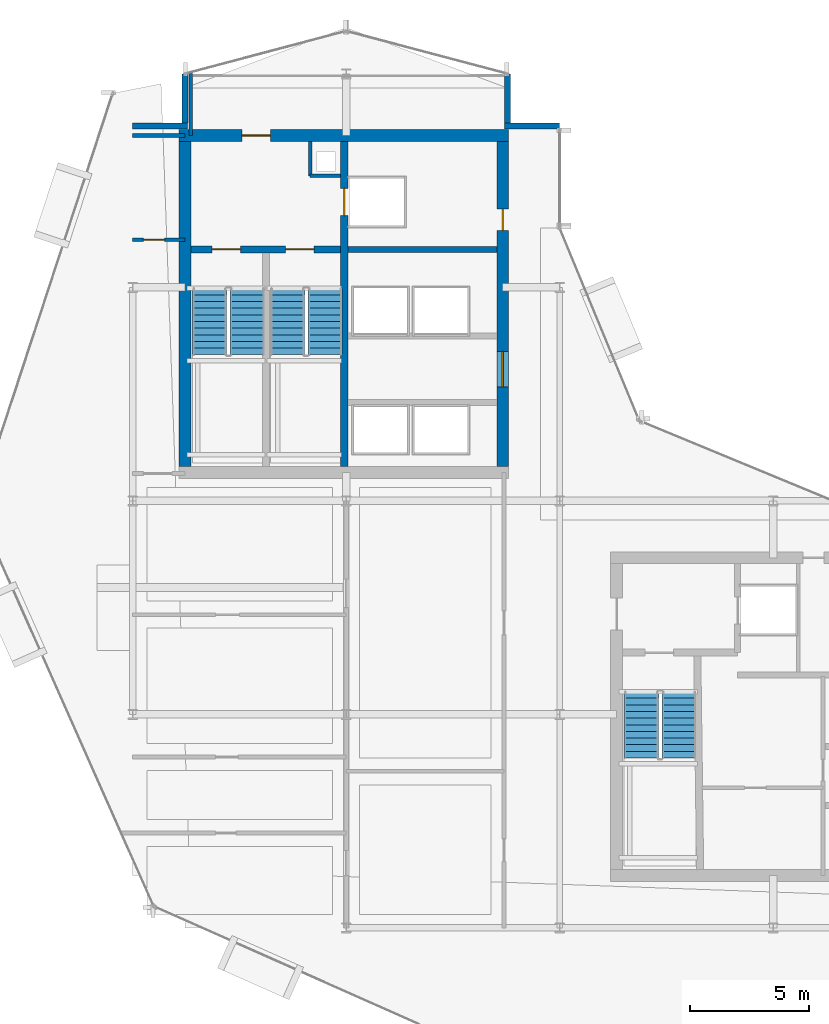
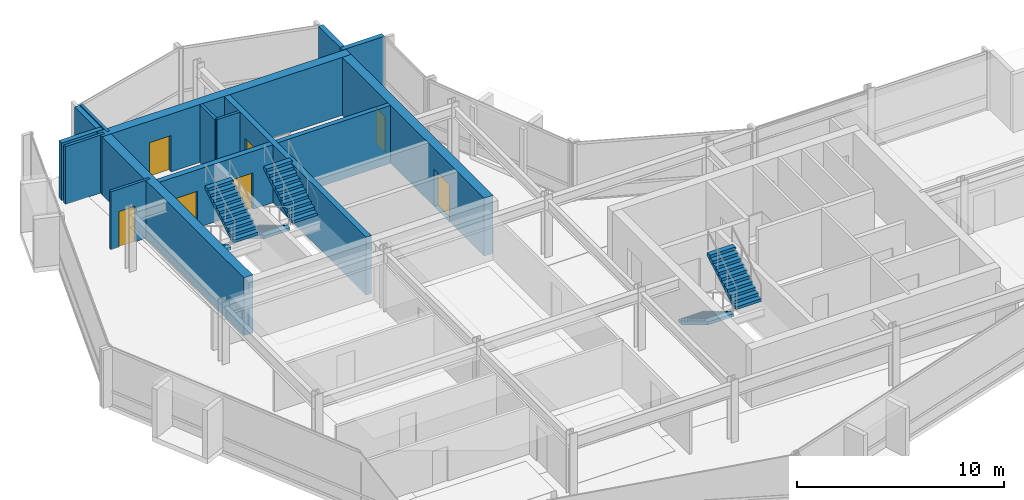
# One storey, part 21 of 27: 15 walls, 7 doors, 6 stair flights, 7 openings, 3 elements without a shape of their own.
"""IFC4 building model written with IfcOpenShell, lengths in metres."""

from ifc_helpers import new_model, si_unit, direction, frame, frame_2d, origin, place, context, subcontext, project, spatial, polyline, rectangle, outline, extrude, material, layer, layer_set, type_object, element, fill, aggregate, save


model = new_model("IFC4")

# Units and contexts
model_context = context("Model", 3, precision=1e-05, world=origin(), true_north=direction((0.0, 1.0)))
body_context = subcontext(model_context, "Body", "Model", "MODEL_VIEW")
ifc_project = project(units=[si_unit("LENGTHUNIT", "METRE"), si_unit("AREAUNIT", "SQUARE_METRE"), si_unit("VOLUMEUNIT", "CUBIC_METRE"), si_unit("PLANEANGLEUNIT", "RADIAN"), si_unit("MASSUNIT", "GRAM", prefix="KILO")], contexts=[model_context])

# Site, building, storey
site_placement = place(None, origin())
site = spatial("IfcSite", under=ifc_project, at=site_placement, CompositionType="ELEMENT")
building_placement = place(site_placement, origin())
building = spatial("IfcBuilding", under=site, at=building_placement, Name="Solvaryn Broadcast Tower", CompositionType="ELEMENT")
storey_placement = place(building_placement, frame((0.0, 0.0, 177.89990234375)))
storey = spatial("IfcBuildingStorey", under=building, at=storey_placement, Name="L44", CompositionType="ELEMENT", Elevation=177.89990234375)

# Wall, opening, door
ifc_material_1 = material(Name="Concrete f'c 70 MPa", Category="concrete")
ifc_layer_1 = layer(ifc_material_1, 0.5)
ifc_layer_set_1 = layer_set([ifc_layer_1], Name="CW-SHEAR-500")
wall_type_1 = type_object("IfcWallType", Name="CW-SHEAR-500", PredefinedType="SHEAR", material=ifc_layer_set_1)
wall_1_placement = place(storey_placement, frame((24.85009765625, 42.39990234375, 0.0), z_axis=(0.0, 0.0, 1.0), x_axis=(-1.0, 0.0, 0.0)))
wall_1 = element("IfcWall", 1, at=wall_1_placement, inside=storey, type_object=wall_type_1, Name="L44 West Core North Shear Wall", PredefinedType="SHEAR", context=body_context, shape_type="SweptSolid", body=[
    extrude(rectangle(XDim=13.900146484375, YDim=0.5, at=frame_2d((6.9501953125, 0.0))), origin(), (0.0, 0.0, 1.0), 3.420166015625),
])
opening_1_placement = place(wall_1_placement, frame((10.050048828125, 0.0, 0.0)))
opening_1 = element("IfcOpeningElement", 2, at=opening_1_placement, cuts=wall_1, Name="Opening FD90A", PredefinedType="OPENING", context=body_context, shape_type="SweptSolid", body=[
    extrude(rectangle(XDim=1.199951171875, YDim=2.14990234375, at=frame_2d((0.60009765625, 1.074951171875))), frame((0.0, 0.260009765625, 0.0), z_axis=(0.0, -1.0, 0.0), x_axis=(1.0, 0.0, 0.0)), (0.0, 0.0, 1.0), 0.52001953125),
])
ifc_material_2 = material(Name="Flush Acoustic Steel and Timber Door Assembly", Category="steel")
door_type_1 = type_object("IfcDoorType", Name="FD90-STAIR-1200X2150", OperationType="NOTDEFINED", PredefinedType="DOOR", material=ifc_material_2)
door_1_placement = place(opening_1_placement, origin())
door_1 = element("IfcDoor", 3, at=door_1_placement, inside=storey, type_object=door_type_1, Name="L44 West FSAE Lobby Corridor Door", OperationType="SINGLE_SWING_LEFT", OverallHeight=2.14990234375, OverallWidth=1.199951171875, PredefinedType="DOOR", context=body_context, shape_type="SweptSolid", body=[
    extrude(rectangle(XDim=1.199951171875, YDim=2.14990234375, at=frame_2d((0.60009765625, 1.074951171875))), frame((0.0, 0.02490234375, 0.0), z_axis=(0.0, -1.0, 0.0), x_axis=(1.0, 0.0, 0.0)), (0.0, 0.0, 1.0), 0.050048828125),
])
fill(opening_1, door_1)

# Wall
wall_2_placement = place(storey_placement, frame((11.199951171875, 42.14990234375, 0.0), z_axis=(0.0, 0.0, 1.0), x_axis=(0.0, -1.0, 0.0)))
element("IfcWall", 4, at=wall_2_placement, inside=storey, type_object=wall_type_1, Name="L44 West Core West Shear Wall", PredefinedType="SHEAR", context=body_context, shape_type="SweptSolid", body=[
    extrude(rectangle(XDim=13.699951171875, YDim=0.5, at=frame_2d((6.85009765625, 0.0))), origin(), (0.0, 0.0, 1.0), 3.420166015625),
])

# Wall, openings, doors
wall_3_placement = place(storey_placement, frame((24.60009765625, 28.449951171875, 0.0), z_axis=(0.0, 0.0, 1.0), x_axis=(0.0, 1.0, 0.0)))
wall_3 = element("IfcWall", 5, at=wall_3_placement, inside=storey, type_object=wall_type_1, Name="L44 West Core East Shear Wall", PredefinedType="SHEAR", context=body_context, shape_type="SweptSolid", body=[
    extrude(rectangle(XDim=13.699951171875, YDim=0.5, at=frame_2d((6.85009765625, 0.0))), origin(), (0.0, 0.0, 1.0), 3.420166015625),
])
opening_2_placement = place(wall_3_placement, frame((3.35009765625, 0.0, 0.0)))
opening_2 = element("IfcOpeningElement", 6, at=opening_2_placement, cuts=wall_3, Name="Opening FD60A", PredefinedType="OPENING", context=body_context, shape_type="SweptSolid", body=[
    extrude(rectangle(XDim=1.5, YDim=2.199951171875, at=frame_2d((0.75, 1.10009765625))), frame((0.0, 0.260009765625, 0.0), z_axis=(0.0, -1.0, 0.0), x_axis=(1.0, 0.0, 0.0)), (0.0, 0.0, 1.0), 0.52001953125),
])
opening_3_placement = place(wall_3_placement, frame((9.949951171875, 0.0, 0.0)))
opening_3 = element("IfcOpeningElement", 7, at=opening_3_placement, cuts=wall_3, Name="Opening FD60C", PredefinedType="OPENING", context=body_context, shape_type="SweptSolid", body=[
    extrude(rectangle(XDim=0.89990234375, YDim=2.10009765625, at=frame_2d((0.449951171875, 1.050048828125))), frame((0.0, 0.260009765625, 0.0), z_axis=(0.0, -1.0, 0.0), x_axis=(1.0, 0.0, 0.0)), (0.0, 0.0, 1.0), 0.52001953125),
])
ifc_material_3 = material(Name="Flush Acoustic Steel and Timber Door Assembly", Category="steel")
door_type_2 = type_object("IfcDoorType", Name="FD60-CORR-1500X2200", OperationType="NOTDEFINED", PredefinedType="DOOR", material=ifc_material_3)
door_2_placement = place(opening_2_placement, origin())
door_2 = element("IfcDoor", 8, at=door_2_placement, inside=storey, type_object=door_type_2, Name="L44 West Elevator Lobby Corridor Door", OperationType="DOUBLE_DOOR_SINGLE_SWING", OverallHeight=2.199951171875, OverallWidth=1.5, PredefinedType="DOOR", context=body_context, shape_type="SweptSolid", body=[
    extrude(rectangle(XDim=1.5, YDim=2.199951171875, at=frame_2d((0.75, 1.10009765625))), frame((0.0, 0.02490234375, 0.0), z_axis=(0.0, -1.0, 0.0), x_axis=(1.0, 0.0, 0.0)), (0.0, 0.0, 1.0), 0.050048828125),
])
fill(opening_2, door_2)
ifc_material_4 = material(Name="Flush Acoustic Steel and Timber Door Assembly", Category="steel")
door_type_3 = type_object("IfcDoorType", Name="FD60-SERV-900X2100", OperationType="NOTDEFINED", PredefinedType="DOOR", material=ifc_material_4)
door_3_placement = place(opening_3_placement, origin())
door_3 = element("IfcDoor", 9, at=door_3_placement, inside=storey, type_object=door_type_3, Name="L44 West Core Service Door 1", OperationType="SINGLE_SWING_LEFT", OverallHeight=2.10009765625, OverallWidth=0.89990234375, PredefinedType="DOOR", context=body_context, shape_type="SweptSolid", body=[
    extrude(rectangle(XDim=0.89990234375, YDim=2.10009765625, at=frame_2d((0.449951171875, 1.050048828125))), frame((0.0, 0.02490234375, 0.0), z_axis=(0.0, -1.0, 0.0), x_axis=(1.0, 0.0, 0.0)), (0.0, 0.0, 1.0), 0.050048828125),
])
fill(opening_3, door_3)

# Walls
ifc_material_5 = material(Name="Concrete f'c 50 MPa", Category="concrete")
ifc_layer_2 = layer(ifc_material_5, 0.260009765625)
ifc_layer_set_2 = layer_set([ifc_layer_2], Name="EW-PIER-260")
wall_type_2 = type_object("IfcWallType", Name="EW-PIER-260", PredefinedType="SOLIDWALL", material=ifc_layer_set_2)
wall_4_placement = place(storey_placement, frame((9.0, 42.800048828125, 0.0), z_axis=(0.0, 0.0, 1.0), x_axis=(1.0, 0.0, 0.0)))
element("IfcWall", 10, at=wall_4_placement, inside=storey, type_object=wall_type_2, Name="L44 Notched Corner Pier Wall NNW1", PredefinedType="SOLIDWALL", context=body_context, shape_type="SweptSolid", body=[
    extrude(rectangle(XDim=2.320068359375, YDim=0.260009765625, at=frame_2d((1.16015625, 0.0))), origin(), (0.0, 0.0, 1.0), 3.420166015625),
])
for number, where, z_axis, x_axis, name in (
    (11, (11.199951171875, 42.919921875, 0.0), (0.0, 0.0, 1.0), (0.0, 1.0, 0.0), "L44 Notched Corner Pier Wall NNW2"),
    (12, (24.800048828125, 45.0, 0.0), (0.0, 0.0, 1.0), (0.0, -1.0, 0.0), "L44 Notched Corner Pier Wall NNE1"),
):
    element("IfcWall", number, at=place(storey_placement, frame(where, z_axis=z_axis, x_axis=x_axis)), inside=storey, type_object=wall_type_2, Name=name, PredefinedType="SOLIDWALL", context=body_context, shape_type="SweptSolid", body=[
        extrude(rectangle(XDim=2.080078125, YDim=0.260009765625, at=frame_2d((1.0400390625, 0.0))), origin(), (0.0, 0.0, 1.0), 3.420166015625),
    ])
wall_5_placement = place(storey_placement, frame((24.679931640625, 42.800048828125, 0.0), z_axis=(0.0, 0.0, 1.0), x_axis=(1.0, 0.0, 0.0)))
element("IfcWall", 13, at=wall_5_placement, inside=storey, type_object=wall_type_2, Name="L44 Notched Corner Pier Wall NNE2", PredefinedType="SOLIDWALL", context=body_context, shape_type="SweptSolid", body=[
    extrude(rectangle(XDim=2.320068359375, YDim=0.260009765625, at=frame_2d((1.16015625, 0.0))), origin(), (0.0, 0.0, 1.0), 3.420166015625),
])
ifc_material_6 = material(Name="Metal-Stud Service Core Partition")
ifc_layer_3 = layer(ifc_material_6, 0.14990234375)
ifc_layer_set_3 = layer_set([ifc_layer_3], Name="IW-PART-150")
wall_type_3 = type_object("IfcWallType", Name="IW-PART-150", PredefinedType="PARTITIONING", material=ifc_layer_set_3)
wall_6_placement = place(storey_placement, frame((16.47998046875, 40.699951171875, 0.0), z_axis=(0.0, 0.0, 1.0), x_axis=(1.0, 0.0, 0.0)))
element("IfcWall", 14, at=wall_6_placement, inside=storey, type_object=wall_type_3, Name="L44 West Core Riser Shaft South Wall", PredefinedType="PARTITIONING", context=body_context, shape_type="SweptSolid", body=[
    extrude(rectangle(XDim=1.2900390625, YDim=0.14990234375, at=frame_2d((0.64501953125, 0.0))), origin(), (0.0, 0.0, 1.0), 3.420166015625),
])
wall_7_placement = place(storey_placement, frame((16.47998046875, 40.699951171875, 0.0), z_axis=(0.0, 0.0, 1.0), x_axis=(0.0, 1.0, 0.0)))
element("IfcWall", 15, at=wall_7_placement, inside=storey, type_object=wall_type_3, Name="L44 West Core Riser Shaft West Wall", PredefinedType="PARTITIONING", context=body_context, shape_type="SweptSolid", body=[
    extrude(rectangle(XDim=1.449951171875, YDim=0.14990234375, at=frame_2d((0.72509765625, 0.0))), origin(), (0.0, 0.0, 1.0), 3.420166015625),
])

# Wall, opening, door
wall_8_placement = place(storey_placement, frame((9.0, 38.0, 0.0), z_axis=(0.0, 0.0, 1.0), x_axis=(1.0, 0.0, 0.0)))
wall_8 = element("IfcWall", 16, at=wall_8_placement, inside=storey, type_object=wall_type_3, Name="L44 Interior Partition IW-L44-WM-M", PredefinedType="PARTITIONING", context=body_context, shape_type="SweptSolid", body=[
    extrude(rectangle(XDim=2.199951171875, YDim=0.14990234375, at=frame_2d((1.10009765625, 0.0))), origin(), (0.0, 0.0, 1.0), 3.420166015625),
])
opening_4_placement = place(wall_8_placement, frame((0.449951171875, 0.0, 0.0)))
opening_4 = element("IfcOpeningElement", 17, at=opening_4_placement, cuts=wall_8, Name="Opening FD60C", PredefinedType="OPENING", context=body_context, shape_type="SweptSolid", body=[
    extrude(rectangle(XDim=0.89990234375, YDim=2.10009765625, at=frame_2d((0.449951171875, 1.050048828125))), frame((0.0, 0.0849609375, 0.0), z_axis=(0.0, -1.0, 0.0), x_axis=(1.0, 0.0, 0.0)), (0.0, 0.0, 1.0), 0.169921875),
])
door_4_placement = place(opening_4_placement, origin())
door_4 = element("IfcDoor", 18, at=door_4_placement, inside=storey, type_object=door_type_3, Name="L44 Door DR-L44-WM1", OperationType="SINGLE_SWING_RIGHT", OverallHeight=2.10009765625, OverallWidth=0.89990234375, PredefinedType="DOOR", context=body_context, shape_type="SweptSolid", body=[
    extrude(rectangle(XDim=0.89990234375, YDim=2.10009765625, at=frame_2d((0.449951171875, 1.050048828125))), frame((0.0, 0.02490234375, 0.0), z_axis=(0.0, -1.0, 0.0), x_axis=(1.0, 0.0, 0.0)), (0.0, 0.0, 1.0), 0.050048828125),
])
fill(opening_4, door_4)

# Walls
ifc_material_7 = material(Name="Metal-Stud Gypsum Office Partition")
ifc_layer_4 = layer(ifc_material_7, 0.159912109375)
ifc_layer_set_4 = layer_set([ifc_layer_4], Name="IW-PART-160")
wall_type_4 = type_object("IfcWallType", Name="IW-PART-160", PredefinedType="PARTITIONING", material=ifc_layer_set_4)
wall_9_placement = place(storey_placement, frame((9.0, 42.39990234375, 0.0), z_axis=(0.0, 0.0, 1.0), x_axis=(1.0, 0.0, 0.0)))
element("IfcWall", 19, at=wall_9_placement, inside=storey, type_object=wall_type_4, Name="L44 Interior Partition IW-L44-WM-N", PredefinedType="PARTITIONING", context=body_context, shape_type="SweptSolid", body=[
    extrude(rectangle(XDim=2.199951171875, YDim=0.159912109375, at=frame_2d((1.10009765625, 0.0))), origin(), (0.0, 0.0, 1.0), 3.420166015625),
])
wall_10_placement = place(storey_placement, frame((11.449951171875, 42.39990234375, 0.0), z_axis=(0.0, 0.0, 1.0), x_axis=(0.0, 1.0, 0.0)))
element("IfcWall", 20, at=wall_10_placement, inside=storey, type_object=wall_type_4, Name="L44 Interior Partition IW-L44-WM-E", PredefinedType="PARTITIONING", context=body_context, shape_type="SweptSolid", body=[
    extrude(rectangle(XDim=2.666015625, YDim=0.159912109375, at=frame_2d((1.3330078125, 0.0))), origin(), (0.0, 0.0, 1.0), 3.420166015625),
])
ifc_material_8 = material(Name="Concrete f'c 60 MPa", Category="concrete")
ifc_layer_5 = layer(ifc_material_8, 0.25)
ifc_layer_set_5 = layer_set([ifc_layer_5], Name="SW-SHAFT-250")
wall_type_5 = type_object("IfcWallType", Name="SW-SHAFT-250", PredefinedType="PARTITIONING", material=ifc_layer_set_5)
wall_11_placement = place(storey_placement, frame((18.070068359375, 37.60009765625, 0.0), z_axis=(0.0, 0.0, 1.0), x_axis=(1.0, 0.0, 0.0)))
element("IfcWall", 21, at=wall_11_placement, inside=storey, type_object=wall_type_5, Name="L44 West Core FSAE Hoistway Front Wall", PredefinedType="PARTITIONING", context=body_context, shape_type="SweptSolid", body=[
    extrude(rectangle(XDim=6.280029296875, YDim=0.25, at=frame_2d((3.14013671875, 0.0))), origin(), (0.0, 0.0, 1.0), 3.420166015625),
])

# Wall, opening, door
ifc_material_9 = material(Name="Concrete f'c 70 MPa", Category="concrete")
ifc_layer_6 = layer(ifc_material_9, 0.300048828125)
ifc_layer_set_6 = layer_set([ifc_layer_6], Name="SW-SHAFT-300")
wall_type_6 = type_object("IfcWallType", Name="SW-SHAFT-300", PredefinedType="SHEAR", material=ifc_layer_set_6)
wall_12_placement = place(storey_placement, frame((17.919921875, 42.14990234375, 0.0), z_axis=(0.0, 0.0, 1.0), x_axis=(0.0, -1.0, 0.0)))
wall_12 = element("IfcWall", 22, at=wall_12_placement, inside=storey, type_object=wall_type_6, Name="L44 West Core Stair-Lobby Shear Wall", PredefinedType="SHEAR", context=body_context, shape_type="SweptSolid", body=[
    extrude(rectangle(XDim=13.699951171875, YDim=0.300048828125, at=frame_2d((6.85009765625, 0.0))), origin(), (0.0, 0.0, 1.0), 3.420166015625),
])
opening_5_placement = place(wall_12_placement, frame((1.97509765625, 0.0, 0.0)))
opening_5 = element("IfcOpeningElement", 23, at=opening_5_placement, cuts=wall_12, Name="Opening LD01", PredefinedType="OPENING", context=body_context, shape_type="SweptSolid", body=[
    extrude(rectangle(XDim=1.14990234375, YDim=2.14990234375, at=frame_2d((0.574951171875, 1.074951171875))), frame((0.0, 0.159912109375, 0.0), z_axis=(0.0, -1.0, 0.0), x_axis=(1.0, 0.0, 0.0)), (0.0, 0.0, 1.0), 0.320068359375),
])
ifc_material_10 = material(Name="Flush Acoustic Steel and Timber Door Assembly", Category="steel")
door_type_4 = type_object("IfcDoorType", Name="LD-LIFT-1150X2150", OperationType="NOTDEFINED", PredefinedType="DOOR", material=ifc_material_10)
door_5_placement = place(opening_5_placement, origin())
door_5 = element("IfcDoor", 24, at=door_5_placement, inside=storey, type_object=door_type_4, Name="L44 FL1 Lift Landing Door", OperationType="DOUBLE_DOOR_SLIDING", OverallHeight=2.14990234375, OverallWidth=1.14990234375, PredefinedType="DOOR", context=body_context, shape_type="SweptSolid", body=[
    extrude(rectangle(XDim=1.14990234375, YDim=2.14990234375, at=frame_2d((0.574951171875, 1.074951171875))), frame((0.0, 0.02490234375, 0.0), z_axis=(0.0, -1.0, 0.0), x_axis=(1.0, 0.0, 0.0)), (0.0, 0.0, 1.0), 0.050048828125),
])
fill(opening_5, door_5)

# Wall, openings, doors
wall_13_placement = place(storey_placement, frame((17.77001953125, 37.60009765625, 0.0), z_axis=(0.0, 0.0, 1.0), x_axis=(-1.0, 0.0, 0.0)))
wall_13 = element("IfcWall", 25, at=wall_13_placement, inside=storey, type_object=wall_type_6, Name="L44 West Core FSAE Lobby South Wall", PredefinedType="SHEAR", context=body_context, shape_type="SweptSolid", body=[
    extrude(rectangle(XDim=6.320068359375, YDim=0.300048828125, at=frame_2d((3.16015625, 0.0))), origin(), (0.0, 0.0, 1.0), 3.420166015625),
])
opening_6_placement = place(wall_13_placement, frame((4.219970703125, 0.0, 0.0)))
opening_6 = element("IfcOpeningElement", 26, at=opening_6_placement, cuts=wall_13, Name="Opening FD90A", PredefinedType="OPENING", context=body_context, shape_type="SweptSolid", body=[
    extrude(rectangle(XDim=1.199951171875, YDim=2.14990234375, at=frame_2d((0.60009765625, 1.074951171875))), frame((0.0, 0.159912109375, 0.0), z_axis=(0.0, -1.0, 0.0), x_axis=(1.0, 0.0, 0.0)), (0.0, 0.0, 1.0), 0.320068359375),
])
opening_7_placement = place(wall_13_placement, frame((1.1201171875, 0.0, 0.0)))
opening_7 = element("IfcOpeningElement", 27, at=opening_7_placement, cuts=wall_13, Name="Opening FD90A", PredefinedType="OPENING", context=body_context, shape_type="SweptSolid", body=[
    extrude(rectangle(XDim=1.199951171875, YDim=2.14990234375, at=frame_2d((0.60009765625, 1.074951171875))), frame((0.0, 0.159912109375, 0.0), z_axis=(0.0, -1.0, 0.0), x_axis=(1.0, 0.0, 0.0)), (0.0, 0.0, 1.0), 0.320068359375),
])
door_6_placement = place(opening_6_placement, origin())
door_6 = element("IfcDoor", 28, at=door_6_placement, inside=storey, type_object=door_type_1, Name="L44 Stair 1 Fire Door", OperationType="SINGLE_SWING_LEFT", OverallHeight=2.14990234375, OverallWidth=1.199951171875, PredefinedType="DOOR", context=body_context, shape_type="SweptSolid", body=[
    extrude(rectangle(XDim=1.199951171875, YDim=2.14990234375, at=frame_2d((0.60009765625, 1.074951171875))), frame((0.0, 0.02490234375, 0.0), z_axis=(0.0, -1.0, 0.0), x_axis=(1.0, 0.0, 0.0)), (0.0, 0.0, 1.0), 0.050048828125),
])
fill(opening_6, door_6)
door_7_placement = place(opening_7_placement, origin())
door_7 = element("IfcDoor", 29, at=door_7_placement, inside=storey, type_object=door_type_1, Name="L44 Stair 2 Fire Door", OperationType="SINGLE_SWING_RIGHT", OverallHeight=2.14990234375, OverallWidth=1.199951171875, PredefinedType="DOOR", context=body_context, shape_type="SweptSolid", body=[
    extrude(rectangle(XDim=1.199951171875, YDim=2.14990234375, at=frame_2d((0.60009765625, 1.074951171875))), frame((0.0, 0.02490234375, 0.0), z_axis=(0.0, -1.0, 0.0), x_axis=(1.0, 0.0, 0.0)), (0.0, 0.0, 1.0), 0.050048828125),
])
fill(opening_7, door_7)

# Stair, stair flights
ifc_material_11 = material(Name="Concrete f'c 60 MPa", Category="concrete")
stair_type = type_object("IfcStairType", Name="ST-CORE", PredefinedType="HALF_TURN_STAIR", material=ifc_material_11)
stair_1_placement = place(storey_placement, origin())
stair_1 = element("IfcStair", 30, at=stair_1_placement, inside=storey, type_object=stair_type, Name="L44 ST1", PredefinedType="HALF_TURN_STAIR")
ifc_material_12 = material(Name="Concrete f'c 60 MPa", Category="concrete")
ifc_layer_7 = layer(ifc_material_12, 0.159912109375)
ifc_layer_set_7 = layer_set([ifc_layer_7], Name="SF-CORE")
stair_flight_type = type_object("IfcStairFlightType", Name="SF-CORE", PredefinedType="STRAIGHT", material=ifc_layer_set_7)
stair_flight_1_placement = place(storey_placement, frame((12.239990234375, 35.9599609375, 0.0), z_axis=(0.0, 0.0, 1.0), x_axis=(0.0, -1.0, 0.0)))
stair_flight_1 = element("IfcStairFlight", 31, at=stair_flight_1_placement, type_object=stair_flight_type, Name="ST1 flight 1", NumberOfRisers=11, NumberOfTreads=10, PredefinedType="STRAIGHT", RiserHeight=0.168181818, TreadLength=0.28, context=body_context, shape_type="SweptSolid", body=[
    extrude(outline(polyline([(0.0, 0.0), (0.0, 0.168212890625), (0.280029296875, 0.168212890625), (0.280029296875, 0.33642578125), (0.56005859375, 0.33642578125), (0.56005859375, 0.504638671875), (0.840087890625, 0.504638671875), (0.840087890625, 0.672607421875), (1.1201171875, 0.672607421875), (1.1201171875, 0.8408203125), (1.39990234375, 0.8408203125), (1.39990234375, 1.009033203125), (1.679931640625, 1.009033203125), (1.679931640625, 1.17724609375), (1.9599609375, 1.17724609375), (1.9599609375, 1.345458984375), (2.239990234375, 1.345458984375), (2.239990234375, 1.513671875), (2.52001953125, 1.513671875), (2.52001953125, 1.681884765625), (2.800048828125, 1.681884765625), (2.800048828125, 1.85009765625), (2.800048828125, 1.5068359375), (0.291015625, 0.0), (0.0, 0.0)])), frame((0.0, 0.719970703125, 0.0), z_axis=(0.0, -1.0, 0.0), x_axis=(1.0, 0.0, 0.0)), (0.0, 0.0, 1.0), 1.43994140625),
])
stair_flight_2_placement = place(storey_placement, frame((13.830078125, 33.159912109375, 1.85009765625), z_axis=(0.0, 0.0, 1.0), x_axis=(0.0, 1.0, 0.0)))
stair_flight_2 = element("IfcStairFlight", 32, at=stair_flight_2_placement, type_object=stair_flight_type, Name="ST1 flight 2", NumberOfRisers=11, NumberOfTreads=10, PredefinedType="STRAIGHT", RiserHeight=0.168181818, TreadLength=0.28, context=body_context, shape_type="SweptSolid", body=[
    extrude(outline(polyline([(0.0, 0.0), (0.0, 0.168212890625), (0.280029296875, 0.168212890625), (0.280029296875, 0.33642578125), (0.56005859375, 0.33642578125), (0.56005859375, 0.504638671875), (0.840087890625, 0.504638671875), (0.840087890625, 0.672607421875), (1.1201171875, 0.672607421875), (1.1201171875, 0.8408203125), (1.39990234375, 0.8408203125), (1.39990234375, 1.009033203125), (1.679931640625, 1.009033203125), (1.679931640625, 1.17724609375), (1.9599609375, 1.17724609375), (1.9599609375, 1.345458984375), (2.239990234375, 1.345458984375), (2.239990234375, 1.513671875), (2.52001953125, 1.513671875), (2.52001953125, 1.681884765625), (2.800048828125, 1.681884765625), (2.800048828125, 1.85009765625), (2.800048828125, 1.5068359375), (0.291015625, 0.0), (0.0, 0.0)])), frame((0.0, 0.719970703125, 0.0), z_axis=(0.0, -1.0, 0.0), x_axis=(1.0, 0.0, 0.0)), (0.0, 0.0, 1.0), 1.43994140625),
])
aggregate(stair_1, [stair_flight_1, stair_flight_2])

stair_2_placement = place(storey_placement, origin())
stair_2 = element("IfcStair", 33, at=stair_2_placement, inside=storey, type_object=stair_type, Name="L44 ST2", PredefinedType="HALF_TURN_STAIR")
stair_flight_3_placement = place(storey_placement, frame((15.52001953125, 35.9599609375, 0.0), z_axis=(0.0, 0.0, 1.0), x_axis=(0.0, -1.0, 0.0)))
stair_flight_3 = element("IfcStairFlight", 34, at=stair_flight_3_placement, type_object=stair_flight_type, Name="ST2 flight 1", NumberOfRisers=11, NumberOfTreads=10, PredefinedType="STRAIGHT", RiserHeight=0.168181818, TreadLength=0.28, context=body_context, shape_type="SweptSolid", body=[
    extrude(outline(polyline([(0.0, 0.0), (0.0, 0.168212890625), (0.280029296875, 0.168212890625), (0.280029296875, 0.33642578125), (0.56005859375, 0.33642578125), (0.56005859375, 0.504638671875), (0.840087890625, 0.504638671875), (0.840087890625, 0.672607421875), (1.1201171875, 0.672607421875), (1.1201171875, 0.8408203125), (1.39990234375, 0.8408203125), (1.39990234375, 1.009033203125), (1.679931640625, 1.009033203125), (1.679931640625, 1.17724609375), (1.9599609375, 1.17724609375), (1.9599609375, 1.345458984375), (2.239990234375, 1.345458984375), (2.239990234375, 1.513671875), (2.52001953125, 1.513671875), (2.52001953125, 1.681884765625), (2.800048828125, 1.681884765625), (2.800048828125, 1.85009765625), (2.800048828125, 1.5068359375), (0.291015625, 0.0), (0.0, 0.0)])), frame((0.0, 0.719970703125, 0.0), z_axis=(0.0, -1.0, 0.0), x_axis=(1.0, 0.0, 0.0)), (0.0, 0.0, 1.0), 1.43994140625),
])
stair_flight_4_placement = place(storey_placement, frame((17.110107421875, 33.159912109375, 1.85009765625), z_axis=(0.0, 0.0, 1.0), x_axis=(0.0, 1.0, 0.0)))
stair_flight_4 = element("IfcStairFlight", 35, at=stair_flight_4_placement, type_object=stair_flight_type, Name="ST2 flight 2", NumberOfRisers=11, NumberOfTreads=10, PredefinedType="STRAIGHT", RiserHeight=0.168181818, TreadLength=0.28, context=body_context, shape_type="SweptSolid", body=[
    extrude(outline(polyline([(0.0, 0.0), (0.0, 0.168212890625), (0.280029296875, 0.168212890625), (0.280029296875, 0.33642578125), (0.56005859375, 0.33642578125), (0.56005859375, 0.504638671875), (0.840087890625, 0.504638671875), (0.840087890625, 0.672607421875), (1.1201171875, 0.672607421875), (1.1201171875, 0.8408203125), (1.39990234375, 0.8408203125), (1.39990234375, 1.009033203125), (1.679931640625, 1.009033203125), (1.679931640625, 1.17724609375), (1.9599609375, 1.17724609375), (1.9599609375, 1.345458984375), (2.239990234375, 1.345458984375), (2.239990234375, 1.513671875), (2.52001953125, 1.513671875), (2.52001953125, 1.681884765625), (2.800048828125, 1.681884765625), (2.800048828125, 1.85009765625), (2.800048828125, 1.5068359375), (0.291015625, 0.0), (0.0, 0.0)])), frame((0.0, 0.719970703125, 0.0), z_axis=(0.0, -1.0, 0.0), x_axis=(1.0, 0.0, 0.0)), (0.0, 0.0, 1.0), 1.43994140625),
])
aggregate(stair_2, [stair_flight_3, stair_flight_4])

stair_3_placement = place(storey_placement, origin())
stair_3 = element("IfcStair", 36, at=stair_3_placement, inside=storey, type_object=stair_type, Name="L44 ST3", PredefinedType="HALF_TURN_STAIR")
stair_flight_5_placement = place(storey_placement, frame((30.43994140625, 18.9599609375, 0.0), z_axis=(0.0, 0.0, 1.0), x_axis=(0.0, -1.0, 0.0)))
stair_flight_5 = element("IfcStairFlight", 37, at=stair_flight_5_placement, type_object=stair_flight_type, Name="ST3 flight 1", NumberOfRisers=11, NumberOfTreads=10, PredefinedType="STRAIGHT", RiserHeight=0.168181818, TreadLength=0.28, context=body_context, shape_type="SweptSolid", body=[
    extrude(outline(polyline([(0.0, 0.0), (0.0, 0.168212890625), (0.280029296875, 0.168212890625), (0.280029296875, 0.33642578125), (0.56005859375, 0.33642578125), (0.56005859375, 0.504638671875), (0.840087890625, 0.504638671875), (0.840087890625, 0.672607421875), (1.1201171875, 0.672607421875), (1.1201171875, 0.8408203125), (1.39990234375, 0.8408203125), (1.39990234375, 1.009033203125), (1.679931640625, 1.009033203125), (1.679931640625, 1.17724609375), (1.9599609375, 1.17724609375), (1.9599609375, 1.345458984375), (2.239990234375, 1.345458984375), (2.239990234375, 1.513671875), (2.52001953125, 1.513671875), (2.52001953125, 1.681884765625), (2.800048828125, 1.681884765625), (2.800048828125, 1.85009765625), (2.800048828125, 1.5068359375), (0.291015625, 0.0), (0.0, 0.0)])), frame((0.0, 0.719970703125, 0.0), z_axis=(0.0, -1.0, 0.0), x_axis=(1.0, 0.0, 0.0)), (0.0, 0.0, 1.0), 1.43994140625),
])
stair_flight_6_placement = place(storey_placement, frame((32.030029296875, 16.159912109375, 1.85009765625), z_axis=(0.0, 0.0, 1.0), x_axis=(0.0, 1.0, 0.0)))
stair_flight_6 = element("IfcStairFlight", 38, at=stair_flight_6_placement, type_object=stair_flight_type, Name="ST3 flight 2", NumberOfRisers=11, NumberOfTreads=10, PredefinedType="STRAIGHT", RiserHeight=0.168181818, TreadLength=0.28, context=body_context, shape_type="SweptSolid", body=[
    extrude(outline(polyline([(0.0, 0.0), (0.0, 0.168212890625), (0.280029296875, 0.168212890625), (0.280029296875, 0.33642578125), (0.56005859375, 0.33642578125), (0.56005859375, 0.504638671875), (0.840087890625, 0.504638671875), (0.840087890625, 0.672607421875), (1.1201171875, 0.672607421875), (1.1201171875, 0.8408203125), (1.39990234375, 0.8408203125), (1.39990234375, 1.009033203125), (1.679931640625, 1.009033203125), (1.679931640625, 1.17724609375), (1.9599609375, 1.17724609375), (1.9599609375, 1.345458984375), (2.239990234375, 1.345458984375), (2.239990234375, 1.513671875), (2.52001953125, 1.513671875), (2.52001953125, 1.681884765625), (2.800048828125, 1.681884765625), (2.800048828125, 1.85009765625), (2.800048828125, 1.5068359375), (0.291015625, 0.0), (0.0, 0.0)])), frame((0.0, 0.719970703125, 0.0), z_axis=(0.0, -1.0, 0.0), x_axis=(1.0, 0.0, 0.0)), (0.0, 0.0, 1.0), 1.43994140625),
])
aggregate(stair_3, [stair_flight_5, stair_flight_6])

save(model, "model.ifc")
